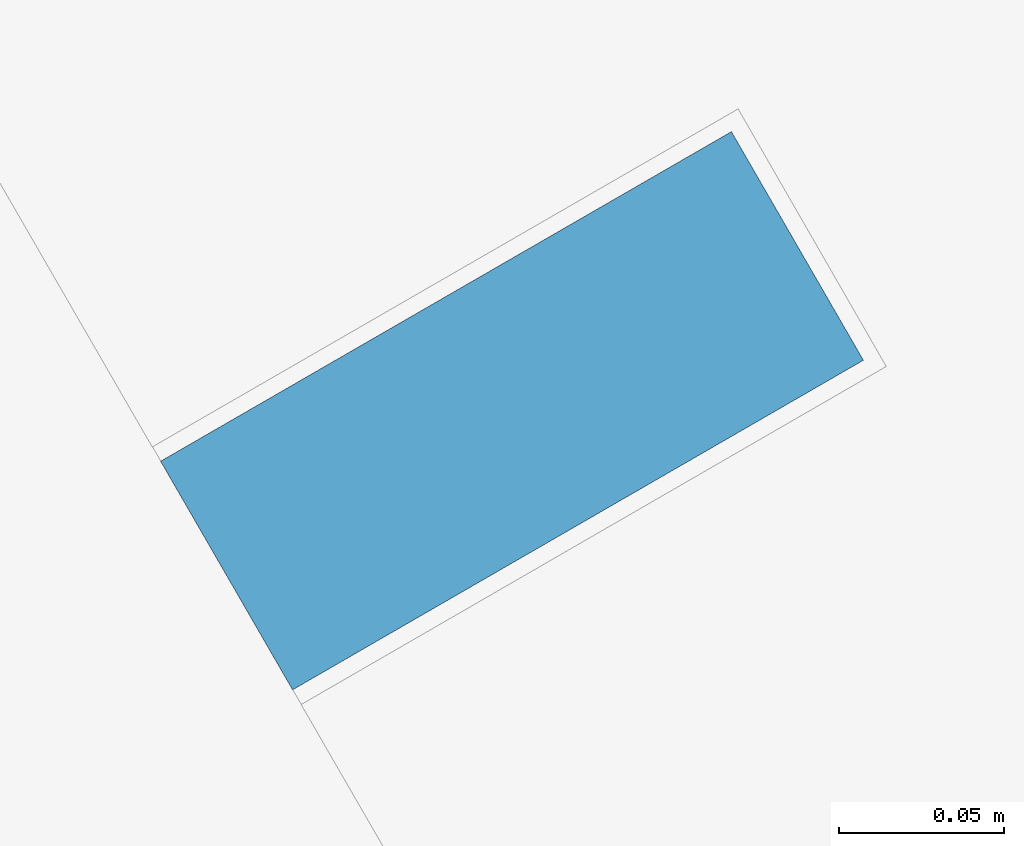
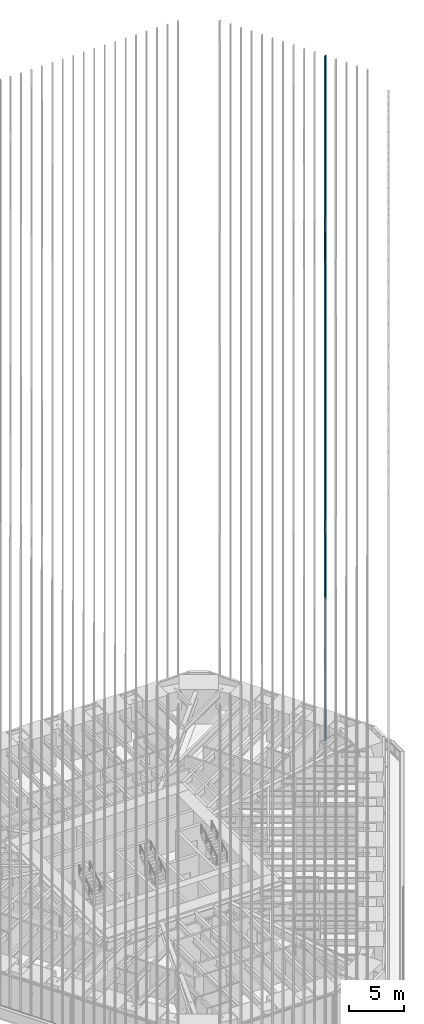
# One storey, part 193 of 238: 1 member, 1 element without a shape of its own.
"""IFC4 building model written with IfcOpenShell, lengths in metres."""

from ifc_helpers import new_model, si_unit, direction, frame, origin, origin_2d, place, context, subcontext, project, spatial, rectangle, extrude, material, material_profile, profile_set, type_object, element, aggregate, save


model = new_model("IFC4")

# Units and contexts
model_context = context("Model", 3, precision=1e-05, world=origin(), true_north=direction((0.0, 1.0)))
body_context = subcontext(model_context, "Body", "Model", "MODEL_VIEW")
ifc_project = project(units=[si_unit("LENGTHUNIT", "METRE"), si_unit("AREAUNIT", "SQUARE_METRE"), si_unit("VOLUMEUNIT", "CUBIC_METRE"), si_unit("PLANEANGLEUNIT", "RADIAN"), si_unit("MASSUNIT", "GRAM", prefix="KILO")], contexts=[model_context])

# Site, building, storey
site_placement = place(None, origin())
site = spatial("IfcSite", under=ifc_project, at=site_placement, CompositionType="ELEMENT")
building_placement = place(site_placement, origin())
building = spatial("IfcBuilding", under=site, at=building_placement, Name="Sandreach Pilgrim Tower", CompositionType="ELEMENT")
storey_placement = place(building_placement, frame((0.0, 0.0, 96.800048828125)))
storey = spatial("IfcBuildingStorey", under=building, at=storey_placement, Name="L23", CompositionType="ELEMENT", Elevation=96.800048828125)

# Curtain wall, member
ifc_material_1 = material(Name="Aluminium framed curtain wall", Category="aluminium")
curtain_wall_type = type_object("IfcCurtainWallType", Name="Hotel tower curtain wall", PredefinedType="NOTDEFINED", material=ifc_material_1)
curtain_wall_placement = place(storey_placement, origin())
curtain_wall = element("IfcCurtainWall", 1, at=curtain_wall_placement, inside=storey, type_object=curtain_wall_type, Name="CW-2 L23 NE", PredefinedType="NOTDEFINED")
ifc_material_2 = material(Name="Extruded terracotta on aluminium core", Category="masonry")
ifc_material_profile = material_profile(ifc_material_2, rectangle(XDim=0.080078125, YDim=0.199951171875, at=origin_2d()), Name="TBE 80X200")
ifc_profile_set = profile_set([ifc_material_profile], Name="Extruded terracotta on aluminium core")
member_type = type_object("IfcMemberType", Name="Terracotta baguette east", PredefinedType="USERDEFINED", material=ifc_profile_set)
member_placement = place(storey_placement, frame((26.41943359375, 11.424560546875, 0.0), z_axis=(0.0, 0.0, 1.0), x_axis=(0.5, -0.866025403784, 0.0)))
member = element("IfcMember", 2, at=member_placement, type_object=member_type, Name="Baguette Z2 NE11", ObjectType="BAGUETTE", PredefinedType="USERDEFINED", context=body_context, shape_type="SweptSolid", body=[
    extrude(rectangle(XDim=0.080078125, YDim=0.199951171875, at=origin_2d()), origin(), (0.0, 0.0, 1.0), 75.83984375),
])
aggregate(curtain_wall, [member])

save(model, "model.ifc")
